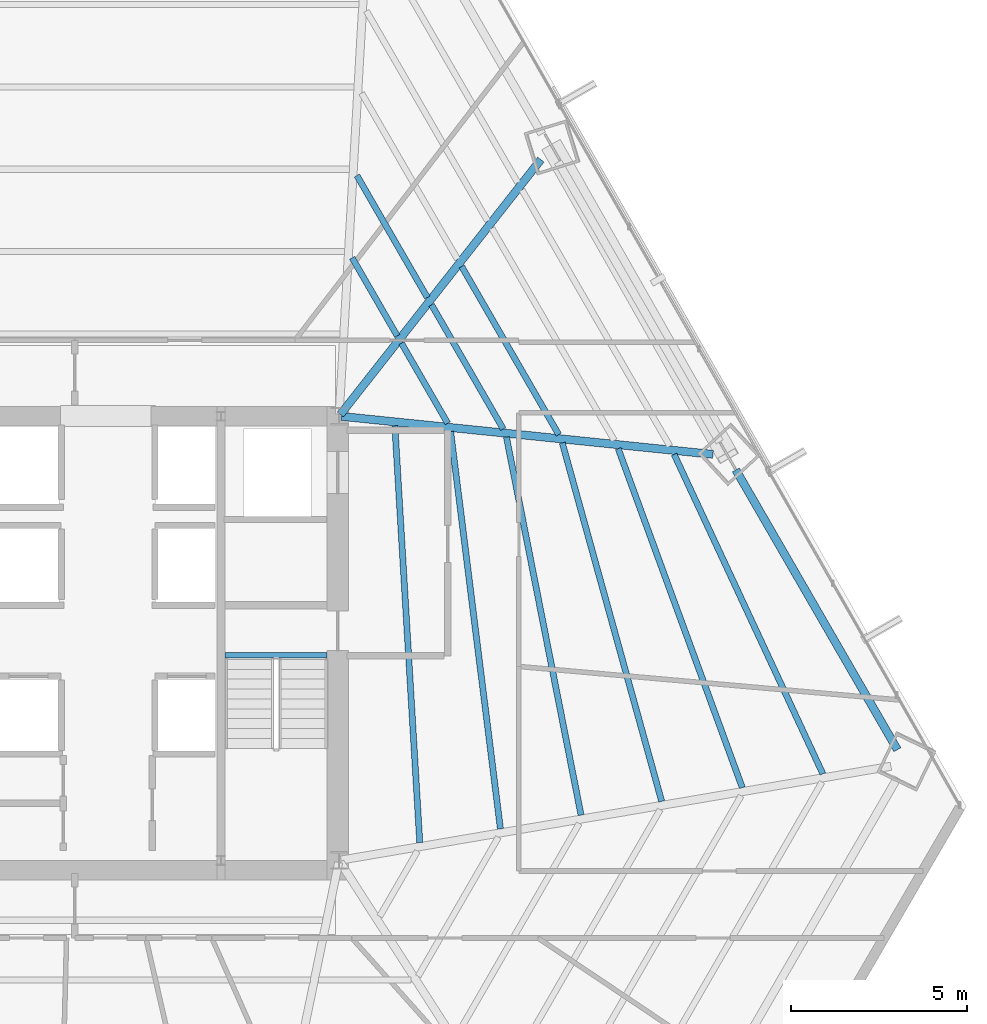
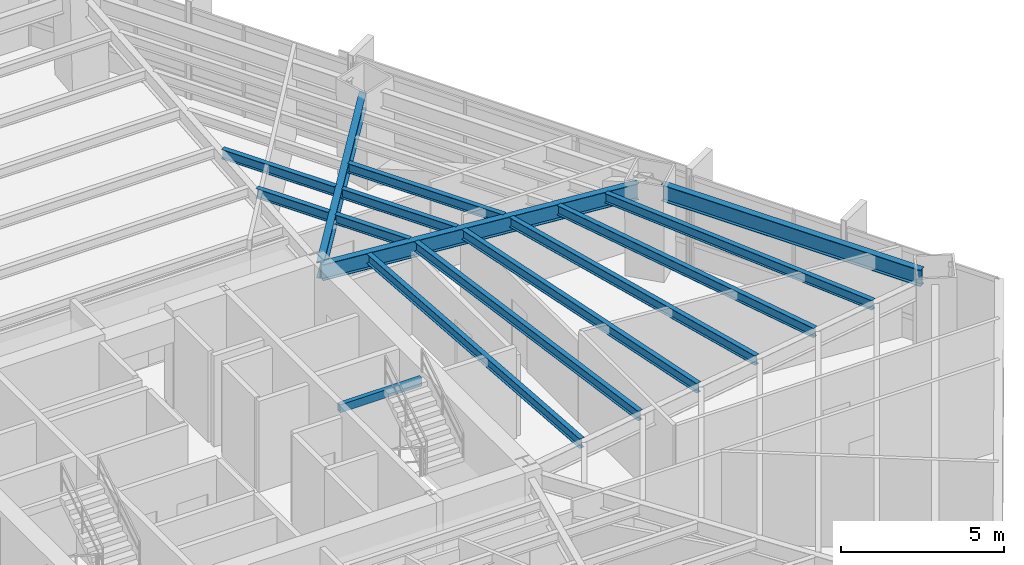
# One storey, part 21 of 36: 15 beams.
"""IFC4 building model written with IfcOpenShell, lengths in metres."""

from ifc_helpers import new_model, si_unit, direction, frame, origin, origin_2d, place, context, subcontext, project, spatial, hollow_rectangle, i_section, extrude, source, transform, mapped, material, material_profile, profile_set, type_object, type_shapes, element, save


model = new_model("IFC4")

# Units and contexts
model_context = context("Model", 3, precision=1e-05, world=origin(), true_north=direction((0.0, 1.0)))
body_context = subcontext(model_context, "Body", "Model", "MODEL_VIEW")
ifc_project = project(units=[si_unit("LENGTHUNIT", "METRE"), si_unit("AREAUNIT", "SQUARE_METRE"), si_unit("VOLUMEUNIT", "CUBIC_METRE"), si_unit("PLANEANGLEUNIT", "RADIAN"), si_unit("MASSUNIT", "GRAM", prefix="KILO")], contexts=[model_context])

# Site, building, storey
site_placement = place(None, origin())
site = spatial("IfcSite", under=ifc_project, at=site_placement, CompositionType="ELEMENT")
building_placement = place(site_placement, origin())
building = spatial("IfcBuilding", under=site, at=building_placement, Name="Caelisora Broadcast Tower", CompositionType="ELEMENT")
storey_placement = place(building_placement, frame((0.0, 0.0, 60.449951171875)))
storey = spatial("IfcBuildingStorey", under=building, at=storey_placement, Name="L15", CompositionType="ELEMENT", Elevation=60.449951171875)

# Beams
ifc_material_1 = material(Name="Steel Grade 350 (AS/NZS 1163 C350L0)", Category="steel")
ifc_material_profile_1 = material_profile(ifc_material_1, hollow_rectangle(XDim=0.14990234375, YDim=0.300048828125, WallThickness=0.010009765625, at=origin_2d()), Name="Steel Grade 350 (AS/NZS 1163 C350L0)")
ifc_profile_set_1 = profile_set([ifc_material_profile_1], Name="Steel Grade 350 (AS/NZS 1163 C350L0)")
beam_type_1 = type_object("IfcBeamType", Name="SB05", PredefinedType="JOIST", material=ifc_profile_set_1)
shared_shape_1 = source(origin(), body_context, "Body", "SweptSolid", [
    extrude(hollow_rectangle(XDim=0.14990234375, YDim=0.300048828125, WallThickness=0.010009765625, at=origin_2d()), origin(), (0.0, 0.0, 1.0), 2.89990234375),
])
type_shapes(beam_type_1, [shared_shape_1])
beam_1_placement = place(storey_placement, frame((42.260009765625, 23.219970703125, 3.25), z_axis=(1.0, 0.0, 0.0), x_axis=(0.0, 1.0, 0.0)))
element("IfcBeam", 1, at=beam_1_placement, inside=storey, type_object=beam_type_1, Name="L15 beam SB05", PredefinedType="JOIST", context=body_context, shape_type="MappedRepresentation", body=[
    mapped(shared_shape_1, transform((0.0, 0.0, 0.0), scale=1.0)),
])
ifc_material_2 = material(Name="Steel Grade 350 (AS/NZS 3679.1)", Category="steel")
ifc_material_profile_2 = material_profile(ifc_material_2, i_section(OverallWidth=0.22900390625, OverallDepth=0.611572265625, WebThickness=0.011962890625, FlangeThickness=0.01953125, at=origin_2d()), Name="Steel Grade 350 (AS/NZS 3679.1)")
ifc_profile_set_2 = profile_set([ifc_material_profile_2], Name="Steel Grade 350 (AS/NZS 3679.1)")
beam_type_2 = type_object("IfcBeamType", Name="PG03", PredefinedType="BEAM", material=ifc_profile_set_2)
shared_shape_2 = source(origin(), body_context, "Body", "SweptSolid", [
    extrude(i_section(OverallWidth=0.22900390625, OverallDepth=0.611572265625, WebThickness=0.011962890625, FlangeThickness=0.01953125, at=origin_2d()), origin(), (0.0, 0.0, 1.0), 9.162353515625),
])
type_shapes(beam_type_2, [shared_shape_2])
beam_2_placement = place(storey_placement, frame((61.33349609375, 20.539306640625, 3.09423828125), z_axis=(-0.500010769599, 0.866019185864, 0.0), x_axis=(-0.866019185864, -0.500010769599, 0.0)))
element("IfcBeam", 2, at=beam_2_placement, inside=storey, type_object=beam_type_2, Name="L15 beam PG03", PredefinedType="BEAM", context=body_context, shape_type="MappedRepresentation", body=[
    mapped(shared_shape_2, transform((0.0, 0.0, 0.0), scale=1.0)),
])
ifc_material_profile_3 = material_profile(ifc_material_2, i_section(OverallWidth=0.22802734375, OverallDepth=0.602294921875, WebThickness=0.010498046875, FlangeThickness=0.014892578125, at=origin_2d()), Name="Steel Grade 350 (AS/NZS 3679.1)")
ifc_profile_set_3 = profile_set([ifc_material_profile_3], Name="Steel Grade 350 (AS/NZS 3679.1)")
beam_type_3 = type_object("IfcBeamType", Name="PG04", PredefinedType="BEAM", material=ifc_profile_set_3)
shared_shape_3 = source(origin(), body_context, "Body", "SweptSolid", [
    extrude(i_section(OverallWidth=0.22802734375, OverallDepth=0.602294921875, WebThickness=0.010498046875, FlangeThickness=0.014892578125, at=origin_2d()), origin(), (0.0, 0.0, 1.0), 9.19482421875),
])
beam_3_placement = place(storey_placement, frame((45.537109375, 30.047119140625, 3.098876953125), z_axis=(0.61819087078, 0.786028019401, 0.0), x_axis=(-0.786028019401, 0.61819087078, 0.0)))
element("IfcBeam", 3, at=beam_3_placement, inside=storey, type_object=beam_type_3, Name="L15 beam PG04", PredefinedType="BEAM", context=body_context, shape_type="MappedRepresentation", body=[
    mapped(shared_shape_3, transform((0.0, 0.0, 0.0), scale=1.0)),
])
shared_shape_4 = source(origin(), body_context, "Body", "SweptSolid", [
    extrude(i_section(OverallWidth=0.22802734375, OverallDepth=0.602294921875, WebThickness=0.010498046875, FlangeThickness=0.014892578125, at=origin_2d()), origin(), (0.0, 0.0, 1.0), 10.599609375),
])
type_shapes(beam_type_3, [shared_shape_3, shared_shape_4])
beam_4_placement = place(storey_placement, frame((45.559814453125, 29.993896484375, 3.098876953125), z_axis=(0.994809095259, -0.101758852142, 0.0), x_axis=(0.101758852142, 0.994809095259, 0.0)))
element("IfcBeam", 4, at=beam_4_placement, inside=storey, type_object=beam_type_3, Name="L15 beam PG04", PredefinedType="BEAM", context=body_context, shape_type="MappedRepresentation", body=[
    mapped(shared_shape_4, transform((0.0, 0.0, 0.0), scale=1.0)),
])
ifc_material_profile_4 = material_profile(ifc_material_2, i_section(OverallWidth=0.172119140625, OverallDepth=0.358642578125, WebThickness=0.008056640625, FlangeThickness=0.012939453125, at=origin_2d()), Name="Steel Grade 350 (AS/NZS 3679.1)")
ifc_profile_set_4 = profile_set([ifc_material_profile_4], Name="Steel Grade 350 (AS/NZS 3679.1)")
beam_type_4 = type_object("IfcBeamType", Name="SB02", PredefinedType="JOIST", material=ifc_profile_set_4)
shared_shape_5 = source(origin(), body_context, "Body", "SweptSolid", [
    extrude(i_section(OverallWidth=0.172119140625, OverallDepth=0.358642578125, WebThickness=0.008056640625, FlangeThickness=0.012939453125, at=origin_2d()), origin(), (0.0, 0.0, 1.0), 2.556396484375),
])
beam_5_placement = place(storey_placement, frame((47.14892578125, 32.2763671875, 3.220703125), z_axis=(-0.499970471295, 0.866042451519, 0.0), x_axis=(-0.866042451519, -0.499970471295, 0.0)))
element("IfcBeam", 5, at=beam_5_placement, inside=storey, type_object=beam_type_4, Name="L15 beam SB02", PredefinedType="JOIST", context=body_context, shape_type="MappedRepresentation", body=[
    mapped(shared_shape_5, transform((0.0, 0.0, 0.0), scale=1.0)),
])
shared_shape_6 = source(origin(), body_context, "Body", "SweptSolid", [
    extrude(i_section(OverallWidth=0.172119140625, OverallDepth=0.358642578125, WebThickness=0.008056640625, FlangeThickness=0.012939453125, at=origin_2d()), origin(), (0.0, 0.0, 1.0), 3.996826171875),
])
beam_6_placement = place(storey_placement, frame((48.00341796875, 33.36279296875, 3.220703125), z_axis=(-0.500041471549, 0.86600145885, 0.0), x_axis=(-0.86600145885, -0.500041471549, 0.0)))
element("IfcBeam", 6, at=beam_6_placement, inside=storey, type_object=beam_type_4, Name="L15 beam SB02", PredefinedType="JOIST", context=body_context, shape_type="MappedRepresentation", body=[
    mapped(shared_shape_6, transform((0.0, 0.0, 0.0), scale=1.0)),
])
shared_shape_7 = source(origin(), body_context, "Body", "SweptSolid", [
    extrude(i_section(OverallWidth=0.172119140625, OverallDepth=0.358642578125, WebThickness=0.008056640625, FlangeThickness=0.012939453125, at=origin_2d()), origin(), (0.0, 0.0, 1.0), 2.623046875),
])
beam_7_placement = place(storey_placement, frame((48.580322265625, 29.797119140625, 3.220703125), z_axis=(-0.499982949935, 0.86603524742, 0.0), x_axis=(-0.86603524742, -0.499982949935, 0.0)))
element("IfcBeam", 7, at=beam_7_placement, inside=storey, type_object=beam_type_4, Name="L15 beam SB02", PredefinedType="JOIST", context=body_context, shape_type="MappedRepresentation", body=[
    mapped(shared_shape_7, transform((0.0, 0.0, 0.0), scale=1.0)),
])
shared_shape_8 = source(origin(), body_context, "Body", "SweptSolid", [
    extrude(i_section(OverallWidth=0.172119140625, OverallDepth=0.358642578125, WebThickness=0.008056640625, FlangeThickness=0.012939453125, at=origin_2d()), origin(), (0.0, 0.0, 1.0), 4.063720703125),
])
beam_8_placement = place(storey_placement, frame((50.155029296875, 29.635986328125, 3.220703125), z_axis=(-0.500022342669, 0.866012503854, 0.0), x_axis=(-0.866012503854, -0.500022342669, 0.0)))
element("IfcBeam", 8, at=beam_8_placement, inside=storey, type_object=beam_type_4, Name="L15 beam SB02", PredefinedType="JOIST", context=body_context, shape_type="MappedRepresentation", body=[
    mapped(shared_shape_8, transform((0.0, 0.0, 0.0), scale=1.0)),
])
shared_shape_9 = source(origin(), body_context, "Body", "SweptSolid", [
    extrude(i_section(OverallWidth=0.172119140625, OverallDepth=0.358642578125, WebThickness=0.008056640625, FlangeThickness=0.012939453125, at=origin_2d()), origin(), (0.0, 0.0, 1.0), 5.504150390625),
])
beam_9_placement = place(storey_placement, frame((51.7294921875, 29.474853515625, 3.220703125), z_axis=(-0.499974583917, 0.866040077269, 0.0), x_axis=(-0.866040077269, -0.499974583917, 0.0)))
element("IfcBeam", 9, at=beam_9_placement, inside=storey, type_object=beam_type_4, Name="L15 beam SB02", PredefinedType="JOIST", context=body_context, shape_type="MappedRepresentation", body=[
    mapped(shared_shape_9, transform((0.0, 0.0, 0.0), scale=1.0)),
])
shared_shape_10 = source(origin(), body_context, "Body", "SweptSolid", [
    extrude(i_section(OverallWidth=0.172119140625, OverallDepth=0.358642578125, WebThickness=0.008056640625, FlangeThickness=0.012939453125, at=origin_2d()), origin(), (0.0, 0.0, 1.0), 11.844482421875),
])
beam_10_placement = place(storey_placement, frame((47.7880859375, 17.903076171875, 3.220703125), z_axis=(-0.059671710578, 0.998218055816, 0.0), x_axis=(-0.998218055816, -0.059671710578, 0.0)))
element("IfcBeam", 10, at=beam_10_placement, inside=storey, type_object=beam_type_4, Name="L15 beam SB02", PredefinedType="JOIST", context=body_context, shape_type="MappedRepresentation", body=[
    mapped(shared_shape_10, transform((0.0, 0.0, 0.0), scale=1.0)),
])
shared_shape_11 = source(origin(), body_context, "Body", "SweptSolid", [
    extrude(i_section(OverallWidth=0.172119140625, OverallDepth=0.358642578125, WebThickness=0.008056640625, FlangeThickness=0.012939453125, at=origin_2d()), origin(), (0.0, 0.0, 1.0), 11.359619140625),
])
beam_11_placement = place(storey_placement, frame((50.07568359375, 18.293212890625, 3.220703125), z_axis=(-0.124330987461, 0.992240800188, 0.0), x_axis=(-0.992240800188, -0.124330987461, 0.0)))
element("IfcBeam", 11, at=beam_11_placement, inside=storey, type_object=beam_type_4, Name="L15 beam SB02", PredefinedType="JOIST", context=body_context, shape_type="MappedRepresentation", body=[
    mapped(shared_shape_11, transform((0.0, 0.0, 0.0), scale=1.0)),
])
shared_shape_12 = source(origin(), body_context, "Body", "SweptSolid", [
    extrude(i_section(OverallWidth=0.172119140625, OverallDepth=0.358642578125, WebThickness=0.008056640625, FlangeThickness=0.012939453125, at=origin_2d()), origin(), (0.0, 0.0, 1.0), 10.92626953125),
])
beam_12_placement = place(storey_placement, frame((52.36279296875, 18.68359375, 3.220703125), z_axis=(-0.193704909265, 0.981059839218, 0.0), x_axis=(-0.981059839218, -0.193704909265, 0.0)))
element("IfcBeam", 12, at=beam_12_placement, inside=storey, type_object=beam_type_4, Name="L15 beam SB02", PredefinedType="JOIST", context=body_context, shape_type="MappedRepresentation", body=[
    mapped(shared_shape_12, transform((0.0, 0.0, 0.0), scale=1.0)),
])
shared_shape_13 = source(origin(), body_context, "Body", "SweptSolid", [
    extrude(i_section(OverallWidth=0.172119140625, OverallDepth=0.358642578125, WebThickness=0.008056640625, FlangeThickness=0.012939453125, at=origin_2d()), origin(), (0.0, 0.0, 1.0), 10.550537109375),
])
beam_13_placement = place(storey_placement, frame((54.6494140625, 19.07373046875, 3.220703125), z_axis=(-0.26719747856, 0.96364179416, 0.0), x_axis=(-0.96364179416, -0.26719747856, 0.0)))
element("IfcBeam", 13, at=beam_13_placement, inside=storey, type_object=beam_type_4, Name="L15 beam SB02", PredefinedType="JOIST", context=body_context, shape_type="MappedRepresentation", body=[
    mapped(shared_shape_13, transform((0.0, 0.0, 0.0), scale=1.0)),
])
shared_shape_14 = source(origin(), body_context, "Body", "SweptSolid", [
    extrude(i_section(OverallWidth=0.172119140625, OverallDepth=0.358642578125, WebThickness=0.008056640625, FlangeThickness=0.012939453125, at=origin_2d()), origin(), (0.0, 0.0, 1.0), 10.239013671875),
])
beam_14_placement = place(storey_placement, frame((56.935302734375, 19.463623046875, 3.220703125), z_axis=(-0.34376207042, 0.939056781532, 0.0), x_axis=(-0.939056781532, -0.34376207042, 0.0)))
element("IfcBeam", 14, at=beam_14_placement, inside=storey, type_object=beam_type_4, Name="L15 beam SB02", PredefinedType="JOIST", context=body_context, shape_type="MappedRepresentation", body=[
    mapped(shared_shape_14, transform((0.0, 0.0, 0.0), scale=1.0)),
])
shared_shape_15 = source(origin(), body_context, "Body", "SweptSolid", [
    extrude(i_section(OverallWidth=0.172119140625, OverallDepth=0.358642578125, WebThickness=0.008056640625, FlangeThickness=0.012939453125, at=origin_2d()), origin(), (0.0, 0.0, 1.0), 9.995849609375),
])
type_shapes(beam_type_4, [shared_shape_5, shared_shape_6, shared_shape_7, shared_shape_8, shared_shape_9, shared_shape_10, shared_shape_11, shared_shape_12, shared_shape_13, shared_shape_14, shared_shape_15])
beam_15_placement = place(storey_placement, frame((59.22021484375, 19.853759765625, 3.220703125), z_axis=(-0.421978701991, 0.906605744007, 0.0), x_axis=(-0.906605744007, -0.421978701991, 0.0)))
element("IfcBeam", 15, at=beam_15_placement, inside=storey, type_object=beam_type_4, Name="L15 beam SB02", PredefinedType="JOIST", context=body_context, shape_type="MappedRepresentation", body=[
    mapped(shared_shape_15, transform((0.0, 0.0, 0.0), scale=1.0)),
])

save(model, "model.ifc")
